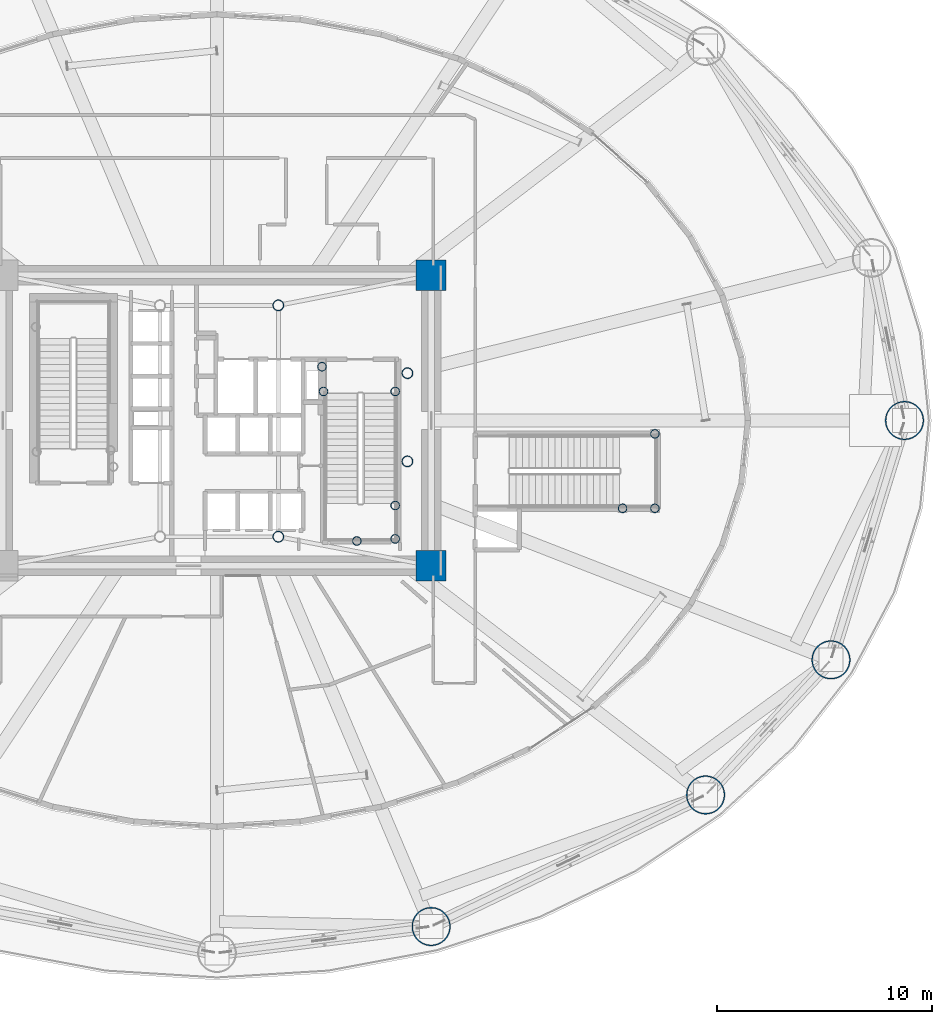
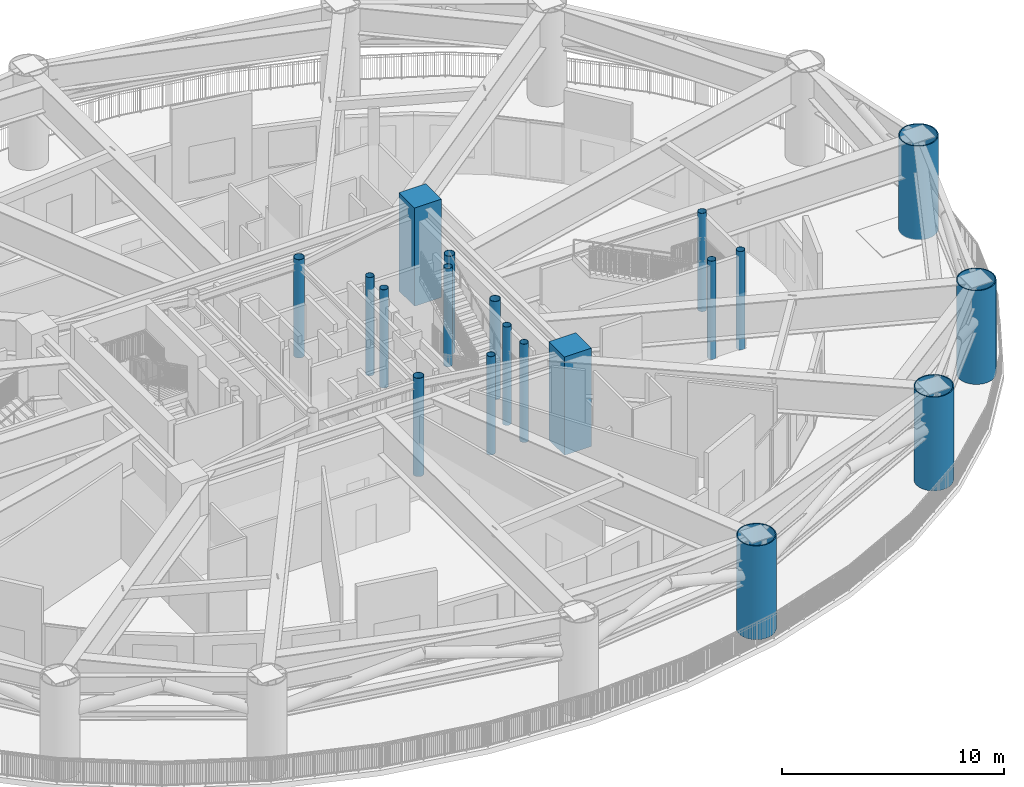
# One storey, part 2 of 39: 19 columns.
"""IFC4 building model written with IfcOpenShell, lengths in metres."""

from ifc_helpers import new_model, si_unit, direction, frame, origin, origin_2d, place, context, subcontext, project, spatial, rectangle, hollow_circle, extrude, material, material_profile, profile_set, type_object, element, save


model = new_model("IFC4")

# Units and contexts
model_context = context("Model", 3, precision=1e-05, world=origin(), true_north=direction((0.0, 1.0)))
body_context = subcontext(model_context, "Body", "Model", "MODEL_VIEW")
ifc_project = project(units=[si_unit("LENGTHUNIT", "METRE"), si_unit("AREAUNIT", "SQUARE_METRE"), si_unit("VOLUMEUNIT", "CUBIC_METRE"), si_unit("PLANEANGLEUNIT", "RADIAN"), si_unit("MASSUNIT", "GRAM", prefix="KILO")], contexts=[model_context])

# Site, building, storey
site_placement = place(None, origin())
site = spatial("IfcSite", under=ifc_project, at=site_placement, CompositionType="ELEMENT")
building_placement = place(site_placement, origin())
building = spatial("IfcBuilding", under=site, at=building_placement, Name="Linh Dai School and Residence Tower", CompositionType="ELEMENT")
storey_placement = place(building_placement, frame((0.0, 0.0, 27.0)))
storey = spatial("IfcBuildingStorey", under=building, at=storey_placement, Name="L06", CompositionType="ELEMENT", Elevation=27.0)

# Columns
ifc_material_1 = material(Name="Concrete B60 (C50/60)", Category="concrete")
ifc_material_profile_1 = material_profile(ifc_material_1, rectangle(XDim=1.39990234375, YDim=1.39990234375, at=origin_2d()), Name="RC 1400x1400")
ifc_profile_set_1 = profile_set([ifc_material_profile_1], Name="Concrete B60 (C50/60)")
column_type_1 = type_object("IfcColumnType", Name="COL-CC1", PredefinedType="COLUMN", material=ifc_profile_set_1)
for number, where, z_axis, x_axis, name in (
    (1, (45.949951171875, 20.25, 0.0), (0.0, 0.0, 1.0), (1.0, 0.0, 0.0), "L06 Core Corner Pier CC2"),
    (2, (45.949951171875, 33.75, 0.0), (0.0, 0.0, 1.0), (1.0, 0.0, 0.0), "L06 Core Corner Pier CC3"),
):
    element("IfcColumn", number, at=place(storey_placement, frame(where, z_axis=z_axis, x_axis=x_axis)), inside=storey, type_object=column_type_1, Name=name, PredefinedType="COLUMN", context=body_context, shape_type="SweptSolid", body=[
        extrude(rectangle(XDim=1.39990234375, YDim=1.39990234375, at=origin_2d()), origin(), (0.0, 0.0, 1.0), 5.39990234375),
    ])
ifc_material_2 = material(Name="Structural Steel S355JR", Category="steel")
ifc_material_profile_2 = material_profile(ifc_material_2, hollow_circle(Radius=0.203125, WallThickness=0.01611328125, at=origin_2d()), Name="CHS 406.4x16")
ifc_profile_set_2 = profile_set([ifc_material_profile_2], Name="Structural Steel S355JR")
column_type_2 = type_object("IfcColumnType", Name="COL-EC", PredefinedType="COLUMN", material=ifc_profile_set_2)
for number, where, z_axis, x_axis, name in (
    (3, (44.280029296875, 21.5, 0.0), (0.0, 0.0, 1.0), (1.0, 0.0, 0.0), "L06 Stair Shaft Landing Support Pier ST2SE"),
    (4, (44.280029296875, 23.050048828125, 0.0), (0.0, 0.0, 1.0), (1.0, 0.0, 0.0), "L06 Stair Shaft Landing Support Pier ST2NE"),
    (5, (42.5, 21.39990234375, 0.0), (0.0, 0.0, 1.0), (1.0, 0.0, 0.0), "L06 Stair Shaft Landing Support Pier ST2MS"),
    (6, (40.949951171875, 28.35009765625, 0.0), (0.0, 0.0, 1.0), (1.0, 0.0, 0.0), "L06 Stair Shaft Landing Support Pier ST2N1"),
    (7, (44.280029296875, 28.35009765625, 0.0), (0.0, 0.0, 1.0), (1.0, 0.0, 0.0), "L06 Stair Shaft Landing Support Pier ST2N2"),
    (8, (40.8798828125, 29.5, 0.0), (0.0, 0.0, 1.0), (1.0, 0.0, 0.0), "L06 Stair Shaft Landing Support Pier ST2N3"),
    (9, (56.35009765625, 26.3798828125, 0.0), (0.0, 0.0, 1.0), (1.0, 0.0, 0.0), "L06 Stair Shaft Landing Support Pier STS2NE"),
    (10, (56.35009765625, 22.919921875, 0.0), (0.0, 0.0, 1.0), (1.0, 0.0, 0.0), "L06 Stair Shaft Landing Support Pier STS2SE"),
    (11, (54.85009765625, 22.919921875, 0.0), (0.0, 0.0, 1.0), (1.0, 0.0, 0.0), "L06 Stair Shaft Landing Support Pier STS2MW"),
):
    element("IfcColumn", number, at=place(storey_placement, frame(where, z_axis=z_axis, x_axis=x_axis)), inside=storey, type_object=column_type_2, Name=name, PredefinedType="COLUMN", context=body_context, shape_type="SweptSolid", body=[
        extrude(hollow_circle(Radius=0.203125, WallThickness=0.01611328125, at=origin_2d()), origin(), (0.0, 0.0, 1.0), 5.39990234375),
    ])
ifc_material_profile_3 = material_profile(ifc_material_2, hollow_circle(Radius=0.89990234375, WallThickness=0.050048828125, at=origin_2d()), Name="CHS 1800x50")
ifc_profile_set_3 = profile_set([ifc_material_profile_3], Name="Structural Steel S355JR")
column_type_3 = type_object("IfcColumnType", Name="COL-MC1", PredefinedType="COLUMN", material=ifc_profile_set_3)
for number, where, z_axis, x_axis, name in (
    (12, (67.949951171875, 27.0, 0.0), (0.0, 0.0, 1.0), (1.0, 0.0, 0.0), "L06 Perimeter CFT Mega-Column MC01"),
    (13, (45.951171875, 3.48388671875, 0.0), (0.0, 0.0, 1.0), (1.0, 0.0, 0.0), "L06 Perimeter CFT Mega-Column MC14"),
    (14, (58.705322265625, 9.599365234375, 0.0), (0.0, 0.0, 1.0), (1.0, 0.0, 0.0), "L06 Perimeter CFT Mega-Column MC15"),
    (15, (64.53369140625, 15.8779296875, 0.0), (0.0, 0.0, 1.0), (1.0, 0.0, 0.0), "L06 Perimeter CFT Mega-Column MC16"),
):
    element("IfcColumn", number, at=place(storey_placement, frame(where, z_axis=z_axis, x_axis=x_axis)), inside=storey, type_object=column_type_3, Name=name, PredefinedType="COLUMN", context=body_context, shape_type="SweptSolid", body=[
        extrude(hollow_circle(Radius=0.89990234375, WallThickness=0.050048828125, at=origin_2d()), origin(), (0.0, 0.0, 1.0), 5.14990234375),
    ])
ifc_material_profile_4 = material_profile(ifc_material_2, hollow_circle(Radius=0.25390625, WallThickness=0.02001953125, at=origin_2d()), Name="CHS 508x20")
ifc_profile_set_4 = profile_set([ifc_material_profile_4], Name="Structural Steel S355JR")
column_type_4 = type_object("IfcColumnType", Name="COL-MCP", PredefinedType="COLUMN", material=ifc_profile_set_4)
for number, where, z_axis, x_axis, name in (
    (16, (38.85009765625, 21.60009765625, 0.0), (0.0, 0.0, 1.0), (1.0, 0.0, 0.0), "L06 Core Mast Support Pier MCP2"),
    (17, (38.85009765625, 32.35009765625, 0.0), (0.0, 0.0, 1.0), (1.0, 0.0, 0.0), "L06 Core Mast Support Pier MCP3"),
    (18, (44.85009765625, 25.10009765625, 0.0), (0.0, 0.0, 1.0), (1.0, 0.0, 0.0), "L06 Sky-Lounge Core Anchor Pier S"),
    (19, (44.85009765625, 29.199951171875, 0.0), (0.0, 0.0, 1.0), (1.0, 0.0, 0.0), "L06 Sky-Lounge Core Anchor Pier N"),
):
    element("IfcColumn", number, at=place(storey_placement, frame(where, z_axis=z_axis, x_axis=x_axis)), inside=storey, type_object=column_type_4, Name=name, PredefinedType="COLUMN", context=body_context, shape_type="SweptSolid", body=[
        extrude(hollow_circle(Radius=0.25390625, WallThickness=0.02001953125, at=origin_2d()), origin(), (0.0, 0.0, 1.0), 5.39990234375),
    ])

save(model, "model.ifc")
